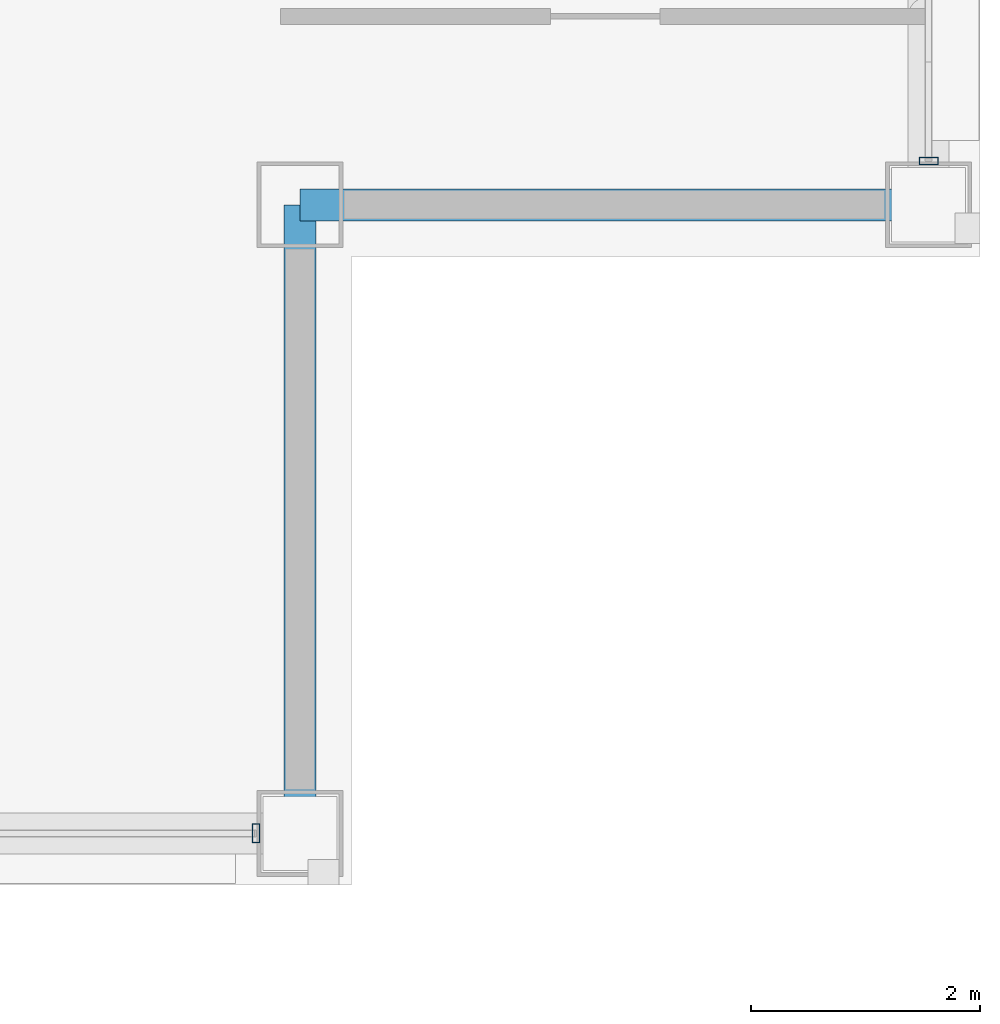
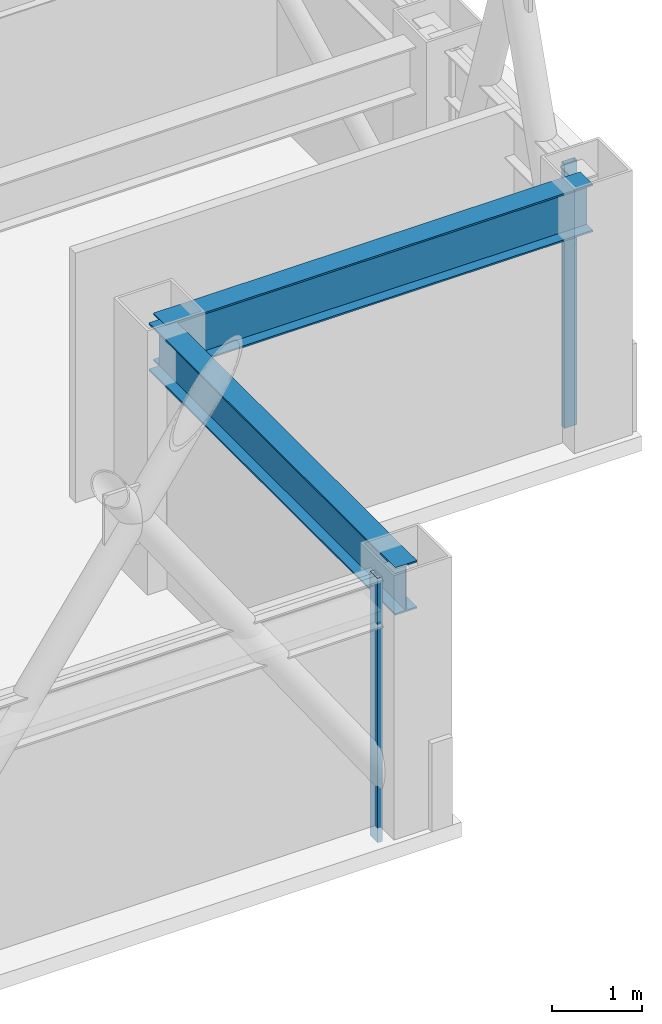
# One storey, part 12 of 30: 2 beams, 2 members, 2 elements without a shape of their own.
"""IFC4 building model written with IfcOpenShell, lengths in metres."""

from ifc_helpers import new_model, si_unit, direction, frame, origin, origin_2d, place, context, subcontext, project, spatial, hollow_rectangle, i_section, extrude, material, layer, layer_set, material_profile, profile_set, type_object, element, aggregate, save


model = new_model("IFC4")

# Units and contexts
model_context = context("Model", 3, precision=1e-05, world=origin(), true_north=direction((0.0, 1.0)))
body_context = subcontext(model_context, "Body", "Model", "MODEL_VIEW")
ifc_project = project(units=[si_unit("LENGTHUNIT", "METRE"), si_unit("AREAUNIT", "SQUARE_METRE"), si_unit("VOLUMEUNIT", "CUBIC_METRE"), si_unit("PLANEANGLEUNIT", "RADIAN"), si_unit("MASSUNIT", "GRAM", prefix="KILO")], contexts=[model_context])

# Site, building, storey
site_placement = place(None, origin())
site = spatial("IfcSite", under=ifc_project, at=site_placement, CompositionType="ELEMENT")
building_placement = place(site_placement, origin())
building = spatial("IfcBuilding", under=site, at=building_placement, Name="Brelmoor Portico Tower", CompositionType="ELEMENT")
storey_placement = place(building_placement, frame((0.0, 0.0, 173.10009765625)))
storey = spatial("IfcBuildingStorey", under=building, at=storey_placement, Name="L45", CompositionType="ELEMENT", Elevation=173.10009765625)

# Beams
ifc_material_1 = material(Name="Steel Q355B", Category="steel")
ifc_material_profile_1 = material_profile(ifc_material_1, i_section(OverallWidth=0.280029296875, OverallDepth=0.64990234375, WebThickness=0.012939453125, FlangeThickness=0.02197265625, at=origin_2d()), Name="HN 650x280x13x22")
ifc_profile_set_1 = profile_set([ifc_material_profile_1], Name="Steel Q355B")
beam_type = type_object("IfcBeamType", Name="BM-SP-650", PredefinedType="SPANDREL", material=ifc_profile_set_1)
for number, where, z_axis, x_axis, name in (
    (1, (15.050048828125, -13.050048828125, 3.074951171875), (1.0, 0.0, 0.0), (0.0, 1.0, 0.0), "L45 Perimeter Spandrel Beam SP-05"),
    (2, (15.050048828125, -18.550048828125, 3.074951171875), (0.0, 1.0, 0.0), (-1.0, 0.0, 0.0), "L45 Perimeter Spandrel Beam SP-16"),
):
    element("IfcBeam", number, at=place(storey_placement, frame(where, z_axis=z_axis, x_axis=x_axis)), inside=storey, type_object=beam_type, Name=name, PredefinedType="SPANDREL", context=body_context, shape_type="SweptSolid", body=[
        extrude(i_section(OverallWidth=0.280029296875, OverallDepth=0.64990234375, WebThickness=0.012939453125, FlangeThickness=0.02197265625, at=origin_2d()), origin(), (0.0, 0.0, 1.0), 5.5),
    ])

# Curtain wall, member
ifc_material_2 = material(Name="Anodised Aluminium Alloy 6063-T6", Category="aluminium")
ifc_layer = layer(ifc_material_2, 0.179931640625)
ifc_layer_set = layer_set([ifc_layer], Name="Anodised Aluminium Alloy 6063-T6")
curtain_wall_type = type_object("IfcCurtainWallType", Name="CW-TOWER-Z3-XB", PredefinedType="NOTDEFINED", material=ifc_layer_set)
curtain_wall_1_placement = place(storey_placement, origin())
curtain_wall_1 = element("IfcCurtainWall", 3, at=curtain_wall_1_placement, inside=storey, type_object=curtain_wall_type, Name="L45 Curtain Wall CW-L45-1R-2", PredefinedType="NOTDEFINED")
ifc_material_profile_2 = material_profile(ifc_material_2, hollow_rectangle(XDim=0.06494140625, YDim=0.1650390625, WallThickness=0.00390625, at=origin_2d()), Name="ALU MULLION 65x165")
ifc_profile_set_2 = profile_set([ifc_material_profile_2], Name="Anodised Aluminium Alloy 6063-T6")
member_type = type_object("IfcMemberType", Name="MB-CW-MULL-165", PredefinedType="MULLION", material=ifc_profile_set_2)
member_1_placement = place(storey_placement, frame((14.6650390625, -18.550048828125, -0.2001953125), z_axis=(0.0, 0.0, 1.0), x_axis=(1.0, 0.0, 0.0)))
member_1 = element("IfcMember", 4, at=member_1_placement, type_object=member_type, Name="CW-L45-1R-2 Mullion 01", PredefinedType="MULLION", context=body_context, shape_type="SweptSolid", body=[
    extrude(hollow_rectangle(XDim=0.06494140625, YDim=0.1650390625, WallThickness=0.00390625, at=origin_2d()), origin(), (0.0, 0.0, 1.0), 3.60009765625),
])
aggregate(curtain_wall_1, [member_1])

curtain_wall_2_placement = place(storey_placement, origin())
curtain_wall_2 = element("IfcCurtainWall", 5, at=curtain_wall_2_placement, inside=storey, type_object=curtain_wall_type, Name="L45 Curtain Wall CW-L45-04-1", PredefinedType="NOTDEFINED")
member_2_placement = place(storey_placement, frame((20.550048828125, -12.6650390625, -0.2001953125), z_axis=(0.0, 0.0, 1.0), x_axis=(0.0, 1.0, 0.0)))
member_2 = element("IfcMember", 6, at=member_2_placement, type_object=member_type, Name="CW-L45-04-1 Mullion 00", PredefinedType="MULLION", context=body_context, shape_type="SweptSolid", body=[
    extrude(hollow_rectangle(XDim=0.06494140625, YDim=0.1650390625, WallThickness=0.00390625, at=origin_2d()), origin(), (0.0, 0.0, 1.0), 3.60009765625),
])
aggregate(curtain_wall_2, [member_2])

save(model, "model.ifc")
